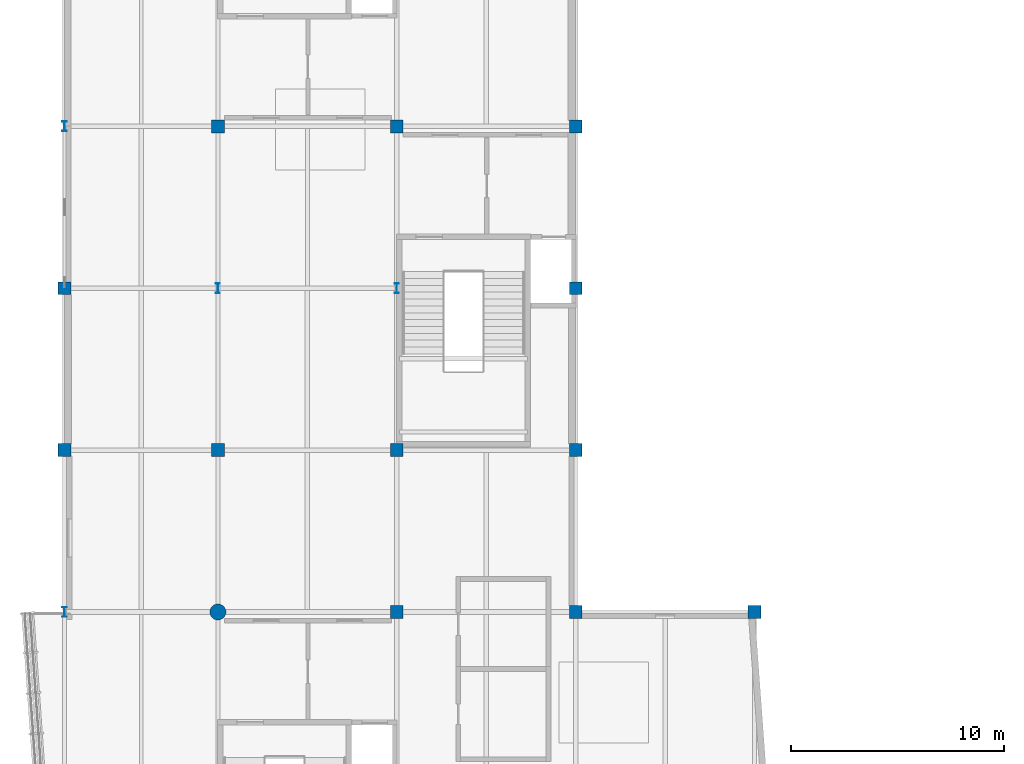
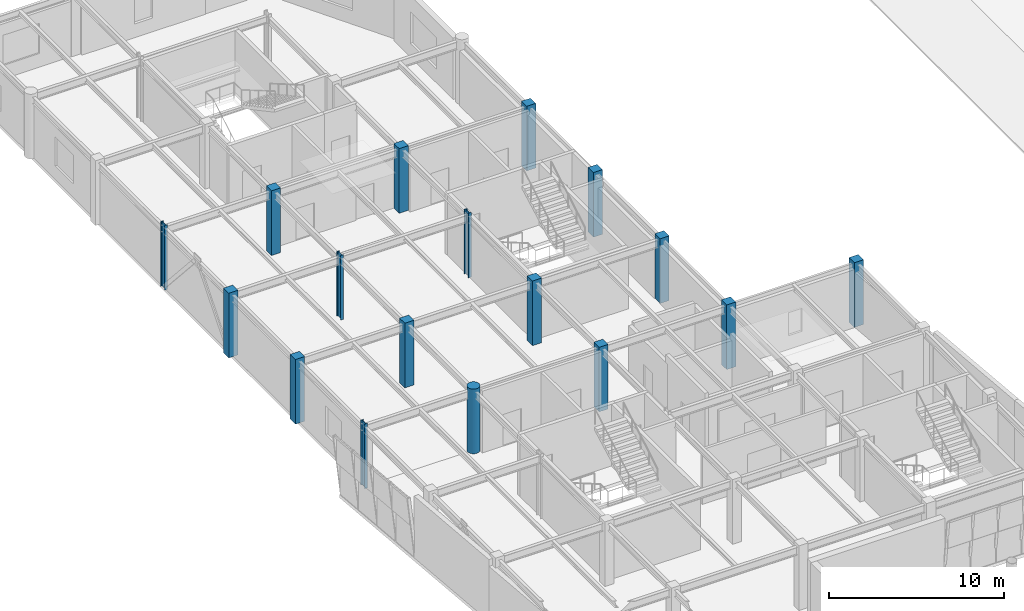
# One storey, part 3 of 28: 17 columns.
"""IFC4 building model written with IfcOpenShell, lengths in metres."""

from ifc_helpers import new_model, si_unit, direction, frame, origin, origin_2d, place, context, subcontext, project, spatial, rectangle, circle, i_section, extrude, material, material_profile, profile_set, type_object, element, save


model = new_model("IFC4")

# Units and contexts
model_context = context("Model", 3, precision=1e-05, world=origin(), true_north=direction((0.0, 1.0)))
body_context = subcontext(model_context, "Body", "Model", "MODEL_VIEW")
ifc_project = project(units=[si_unit("LENGTHUNIT", "METRE"), si_unit("AREAUNIT", "SQUARE_METRE"), si_unit("VOLUMEUNIT", "CUBIC_METRE"), si_unit("PLANEANGLEUNIT", "RADIAN"), si_unit("MASSUNIT", "GRAM", prefix="KILO")], contexts=[model_context])

# Site, building, storey
site_placement = place(None, origin())
site = spatial("IfcSite", under=ifc_project, at=site_placement, CompositionType="ELEMENT")
building_placement = place(site_placement, origin())
building = spatial("IfcBuilding", under=site, at=building_placement, Name="Xicomal Pleat Aquarium", CompositionType="ELEMENT")
storey_placement = place(building_placement, frame((0.0, 0.0, 15.300048828125)))
storey = spatial("IfcBuildingStorey", under=building, at=storey_placement, Name="L04", CompositionType="ELEMENT", Elevation=15.300048828125)

# Columns
ifc_material_1 = material(Name="Concrete C40/50", Category="concrete")
ifc_material_profile_1 = material_profile(ifc_material_1, rectangle(XDim=0.60009765625, YDim=0.60009765625, at=origin_2d()), Name="RC 600x600")
ifc_profile_set_1 = profile_set([ifc_material_profile_1], Name="Concrete C40/50")
column_type_1 = type_object("IfcColumnType", Name="COL-RC-600x600", PredefinedType="COLUMN", material=ifc_profile_set_1)
for number, where, z_axis, x_axis, name in (
    (1, (3.0, 45.60009765625, 0.0), (0.0, 0.0, 1.0), (1.0, 0.0, 0.0), "L04 column 01/G"),
    (2, (3.0, 53.199951171875, 0.0), (0.0, 0.0, 1.0), (1.0, 0.0, 0.0), "L04 column 01/H"),
    (3, (10.199951171875, 45.60009765625, 0.0), (0.0, 0.0, 1.0), (1.0, 0.0, 0.0), "L04 column 02/G"),
    (4, (10.199951171875, 60.800048828125, 0.0), (0.0, 0.0, 1.0), (1.0, 0.0, 0.0), "L04 column 02/J"),
    (5, (18.60009765625, 38.0, 0.0), (0.0, 0.0, 1.0), (1.0, 0.0, 0.0), "L04 column 03/F"),
    (6, (18.60009765625, 45.60009765625, 0.0), (0.0, 0.0, 1.0), (1.0, 0.0, 0.0), "L04 column 03/G"),
    (7, (18.60009765625, 60.800048828125, 0.0), (0.0, 0.0, 1.0), (1.0, 0.0, 0.0), "L04 column 03/J"),
    (8, (27.0, 38.0, 0.0), (0.0, 0.0, 1.0), (1.0, 0.0, 0.0), "L04 column 04/F"),
    (9, (27.0, 45.60009765625, 0.0), (0.0, 0.0, 1.0), (1.0, 0.0, 0.0), "L04 column 04/G"),
    (10, (27.0, 53.199951171875, 0.0), (0.0, 0.0, 1.0), (1.0, 0.0, 0.0), "L04 column 04/H"),
    (11, (27.0, 60.800048828125, 0.0), (0.0, 0.0, 1.0), (1.0, 0.0, 0.0), "L04 column 04/J"),
    (12, (35.39990234375, 38.0, 0.0), (0.0, 0.0, 1.0), (1.0, 0.0, 0.0), "L04 column 05/F"),
):
    element("IfcColumn", number, at=place(storey_placement, frame(where, z_axis=z_axis, x_axis=x_axis)), inside=storey, type_object=column_type_1, Name=name, PredefinedType="COLUMN", context=body_context, shape_type="SweptSolid", body=[
        extrude(rectangle(XDim=0.60009765625, YDim=0.60009765625, at=origin_2d()), origin(), (0.0, 0.0, 1.0), 4.5),
    ])
ifc_material_2 = material(Name="Concrete C40/50", Category="concrete")
ifc_material_profile_2 = material_profile(ifc_material_2, circle(Radius=0.375, at=origin_2d()), Name="RCC D750")
ifc_profile_set_2 = profile_set([ifc_material_profile_2], Name="Concrete C40/50")
column_type_2 = type_object("IfcColumnType", Name="COL-RCC-D750", PredefinedType="COLUMN", material=ifc_profile_set_2)
column_placement = place(storey_placement, frame((10.199951171875, 38.0, 0.0), z_axis=(0.0, 0.0, 1.0), x_axis=(1.0, 0.0, 0.0)))
element("IfcColumn", 13, at=column_placement, inside=storey, type_object=column_type_2, Name="L04 column 02/F", PredefinedType="COLUMN", context=body_context, shape_type="SweptSolid", body=[
    extrude(circle(Radius=0.375, at=origin_2d()), origin(), (0.0, 0.0, 1.0), 4.5),
])
ifc_material_3 = material(Name="Structural steel A992 Gr 50", Category="steel")
ifc_material_profile_3 = material_profile(ifc_material_3, i_section(OverallWidth=0.194091796875, OverallDepth=0.468994140625, WebThickness=0.0126953125, FlangeThickness=0.0205078125, at=origin_2d()), Name="IR 460x106")
ifc_profile_set_3 = profile_set([ifc_material_profile_3], Name="Structural steel A992 Gr 50")
column_type_3 = type_object("IfcColumnType", Name="COL-STL-IR460", PredefinedType="COLUMN", material=ifc_profile_set_3)
for number, where, z_axis, x_axis, name in (
    (14, (3.0, 38.0, 0.0), (0.0, 0.0, 1.0), (1.0, 0.0, 0.0), "L04 column 01/F"),
    (15, (3.0, 60.800048828125, 0.0), (0.0, 0.0, 1.0), (1.0, 0.0, 0.0), "L04 column 01/J"),
    (16, (10.199951171875, 53.199951171875, 0.0), (0.0, 0.0, 1.0), (1.0, 0.0, 0.0), "L04 column 02/H"),
    (17, (18.60009765625, 53.199951171875, 0.0), (0.0, 0.0, 1.0), (1.0, 0.0, 0.0), "L04 column 03/H"),
):
    element("IfcColumn", number, at=place(storey_placement, frame(where, z_axis=z_axis, x_axis=x_axis)), inside=storey, type_object=column_type_3, Name=name, PredefinedType="COLUMN", context=body_context, shape_type="SweptSolid", body=[
        extrude(i_section(OverallWidth=0.194091796875, OverallDepth=0.468994140625, WebThickness=0.0126953125, FlangeThickness=0.0205078125, at=origin_2d()), origin(), (0.0, 0.0, 1.0), 4.5),
    ])

save(model, "model.ifc")
